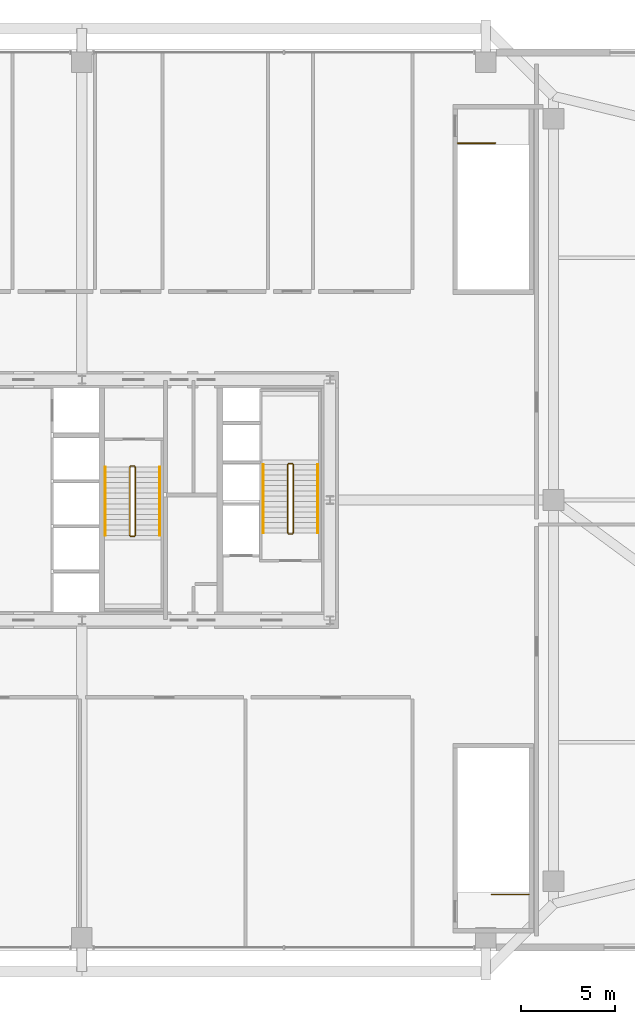
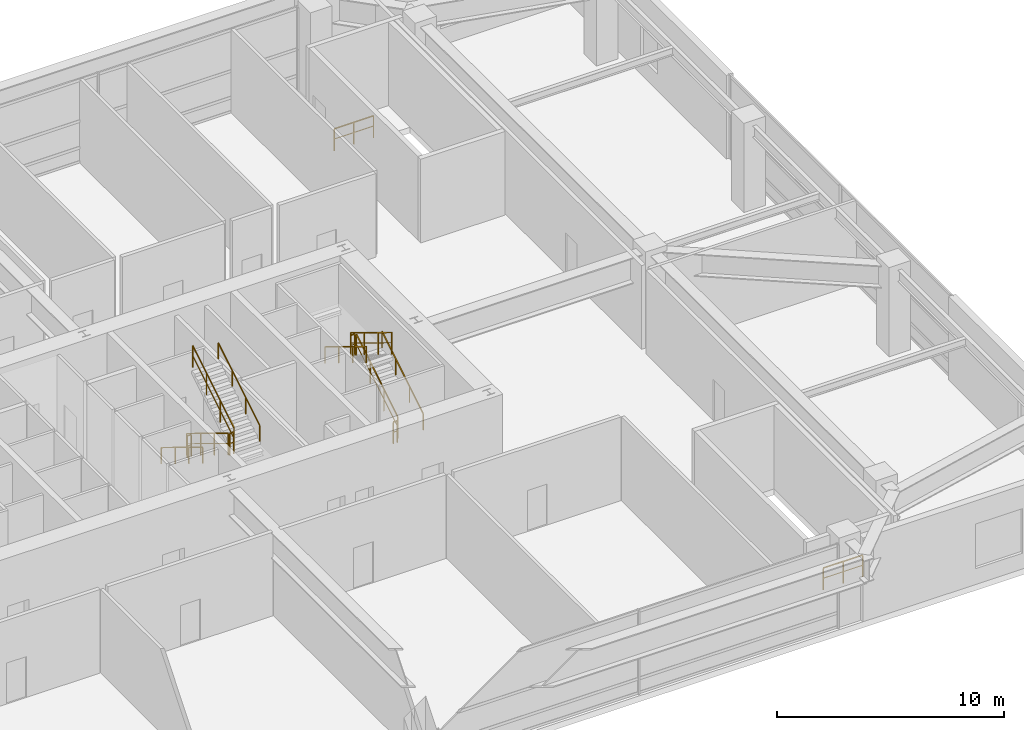
# One storey, part 34 of 34: 14 railings.
"""IFC4 building model written with IfcOpenShell, lengths in metres."""

from ifc_helpers import new_model, si_unit, direction, frame, origin, origin_2d, place, context, subcontext, project, spatial, rectangle, extrude, source, transform, mapped, material, layer, layer_set, type_object, element, save


model = new_model("IFC4")

# Units and contexts
model_context = context("Model", 3, precision=1e-05, world=origin(), true_north=direction((0.0, 1.0)))
body_context = subcontext(model_context, "Body", "Model", "MODEL_VIEW")
ifc_project = project(units=[si_unit("LENGTHUNIT", "METRE"), si_unit("AREAUNIT", "SQUARE_METRE"), si_unit("VOLUMEUNIT", "CUBIC_METRE"), si_unit("PLANEANGLEUNIT", "RADIAN"), si_unit("MASSUNIT", "GRAM", prefix="KILO"), si_unit("THERMODYNAMICTEMPERATUREUNIT", "KELVIN"), si_unit("POWERUNIT", "WATT")], contexts=[model_context])

# Site, building, storey
site_placement = place(None, origin())
site = spatial("IfcSite", under=ifc_project, at=site_placement, CompositionType="ELEMENT")
building_placement = place(site_placement, origin())
building = spatial("IfcBuilding", under=site, at=building_placement, Name="Yuzanri Waterfront Tower", CompositionType="ELEMENT")
storey_placement = place(building_placement, frame((0.0, 0.0, 25.800048828125)))
storey = spatial("IfcBuildingStorey", under=building, at=storey_placement, Name="L06", CompositionType="ELEMENT", Elevation=25.800048828125)

# Railings
ifc_material_1 = material(Name="Painted Galvanized Fire Steel", Category="steel")
ifc_layer_1 = layer(ifc_material_1, 0.06005859375)
ifc_layer_set_1 = layer_set([ifc_layer_1], Name="Painted Galvanized Fire Steel")
railing_type_1 = type_object("IfcRailingType", Name="Painted Steel Stairwell Guardrail 1120", PredefinedType="GUARDRAIL", material=ifc_layer_set_1)
shared_shape_1 = source(origin(), body_context, "Body", "SweptSolid", [
    extrude(rectangle(XDim=0.050048828125, YDim=0.050048828125, at=origin_2d()), frame((0.0, 0.0, 1.1748046875), z_axis=(-1.0, 0.0, 0.0), x_axis=(0.0, -1.0, 0.0)), (0.0, 0.0, 1.0), 0.199951171875),
    extrude(rectangle(XDim=0.035888671875, YDim=0.030029296875, at=origin_2d()), frame((0.0, 0.0, 0.6240234375), z_axis=(-1.0, 0.0, 0.0), x_axis=(0.0, -1.0, 0.0)), (0.0, 0.0, 1.0), 0.199951171875),
    extrude(rectangle(XDim=0.0458984375, YDim=0.0458984375, at=origin_2d()), origin(), (0.0, 0.0, 1.0), 1.14990234375),
    extrude(rectangle(XDim=0.0458984375, YDim=0.0458984375, at=origin_2d()), frame((-0.199951171875, 0.0, 0.0)), (0.0, 0.0, 1.0), 1.14990234375),
])
for number, where, name in (
    (1, (48.199951171875, 27.72998046875, 2.39990234375), "L06 ST-02 stair guard 2"),
    (2, (48.199951171875, 23.989990234375, 0.0), "L06 ST-02 stair guard 4"),
):
    element("IfcRailing", number, at=place(storey_placement, frame(where)), inside=storey, type_object=railing_type_1, Name=name, PredefinedType="GUARDRAIL", context=body_context, shape_type="MappedRepresentation", body=[
        mapped(shared_shape_1, transform((0.0, 0.0, 0.0), scale=1.0)),
    ])
shared_shape_2 = source(origin(), body_context, "Body", "SweptSolid", [
    extrude(rectangle(XDim=0.050048828125, YDim=0.050048828125, at=origin_2d()), frame((0.0, 0.0, 1.1748046875), z_axis=(0.0, 0.852850264322, 0.5221555579), x_axis=(-1.0, 0.0, 0.0)), (0.0, 0.0, 1.0), 4.267822265625),
    extrude(rectangle(XDim=0.035888671875, YDim=0.030029296875, at=origin_2d()), frame((0.0, 0.0, 0.6240234375), z_axis=(0.0, 0.852850264322, 0.5221555579), x_axis=(-1.0, 0.0, 0.0)), (0.0, 0.0, 1.0), 4.267822265625),
    extrude(rectangle(XDim=0.0458984375, YDim=0.0458984375, at=origin_2d()), origin(), (0.0, 0.0, 1.0), 1.14990234375),
    extrude(rectangle(XDim=0.0458984375, YDim=0.0458984375, at=origin_2d()), frame((0.0, 1.21337890625, 0.742919921875)), (0.0, 0.0, 1.0), 1.14990234375),
    extrude(rectangle(XDim=0.0458984375, YDim=0.0458984375, at=origin_2d()), frame((0.0, 2.426513671875, 1.485595703125)), (0.0, 0.0, 1.0), 1.14990234375),
    extrude(rectangle(XDim=0.0458984375, YDim=0.0458984375, at=origin_2d()), frame((0.0, 3.639892578125, 2.228515625)), (0.0, 0.0, 1.0), 1.14990234375),
])
railing_1_placement = place(storey_placement, frame((48.25, 24.0400390625, 0.17138671875)))
element("IfcRailing", 3, at=railing_1_placement, inside=storey, type_object=railing_type_1, Name="L06 ST-02 stair guard 1", PredefinedType="GUARDRAIL", context=body_context, shape_type="MappedRepresentation", body=[
    mapped(shared_shape_2, transform((0.0, 0.0, 0.0), scale=1.0)),
])
ifc_material_2 = material(Name="Anodized Architectural Bronze", Category="metal")
ifc_layer_2 = layer(ifc_material_2, 0.050048828125)
ifc_layer_set_2 = layer_set([ifc_layer_2], Name="Anodized Architectural Bronze")
railing_type_2 = type_object("IfcRailingType", Name="Brushed Bronze Stair Pitch Handrail 920", PredefinedType="HANDRAIL", material=ifc_layer_set_2)
shared_shape_3 = source(origin(), body_context, "Body", "SweptSolid", [
    extrude(rectangle(XDim=0.050048828125, YDim=0.050048828125, at=origin_2d()), frame((0.0, 0.0, 0.875), z_axis=(0.0, 0.852850264322, 0.5221555579), x_axis=(-1.0, 0.0, 0.0)), (0.0, 0.0, 1.0), 4.267822265625),
    extrude(rectangle(XDim=0.0458984375, YDim=0.0458984375, at=origin_2d()), origin(), (0.0, 0.0, 1.0), 0.849853515625),
    extrude(rectangle(XDim=0.0458984375, YDim=0.0458984375, at=origin_2d()), frame((0.0, 1.21337890625, 0.742919921875)), (0.0, 0.0, 1.0), 0.849853515625),
    extrude(rectangle(XDim=0.0458984375, YDim=0.0458984375, at=origin_2d()), frame((0.0, 2.426513671875, 1.485595703125)), (0.0, 0.0, 1.0), 0.849853515625),
    extrude(rectangle(XDim=0.0458984375, YDim=0.0458984375, at=origin_2d()), frame((0.0, 3.639892578125, 2.228515625)), (0.0, 0.0, 1.0), 0.849853515625),
])
railing_2_placement = place(storey_placement, frame((49.550048828125, 24.0400390625, 0.17138671875)))
element("IfcRailing", 4, at=railing_2_placement, inside=storey, type_object=railing_type_2, Name="L06 ST-02 stair handrail 1", PredefinedType="HANDRAIL", context=body_context, shape_type="MappedRepresentation", body=[
    mapped(shared_shape_3, transform((0.0, 0.0, 0.0), scale=1.0)),
])
shared_shape_4 = source(origin(), body_context, "Body", "SweptSolid", [
    extrude(rectangle(XDim=0.050048828125, YDim=0.050048828125, at=origin_2d()), frame((0.0, 0.0, 1.1748046875), z_axis=(0.0, -0.852824790078, 0.522197163366), x_axis=(1.0, 0.0, 0.0)), (0.0, 0.0, 1.0), 4.26806640625),
    extrude(rectangle(XDim=0.035888671875, YDim=0.030029296875, at=origin_2d()), frame((0.0, 0.0, 0.6240234375), z_axis=(0.0, -0.852824790078, 0.522197163366), x_axis=(1.0, 0.0, 0.0)), (0.0, 0.0, 1.0), 4.26806640625),
    extrude(rectangle(XDim=0.0458984375, YDim=0.0458984375, at=origin_2d()), origin(), (0.0, 0.0, 1.0), 1.14990234375),
    extrude(rectangle(XDim=0.0458984375, YDim=0.0458984375, at=origin_2d()), frame((0.0, -1.21337890625, 0.742919921875)), (0.0, 0.0, 1.0), 1.14990234375),
    extrude(rectangle(XDim=0.0458984375, YDim=0.0458984375, at=origin_2d()), frame((0.0, -2.426513671875, 1.48583984375)), (0.0, 0.0, 1.0), 1.14990234375),
    extrude(rectangle(XDim=0.0458984375, YDim=0.0458984375, at=origin_2d()), frame((0.0, -3.639892578125, 2.228759765625)), (0.0, 0.0, 1.0), 1.14990234375),
])
railing_3_placement = place(storey_placement, frame((47.949951171875, 27.679931640625, 2.5712890625)))
element("IfcRailing", 5, at=railing_3_placement, inside=storey, type_object=railing_type_1, Name="L06 ST-02 stair guard 3", PredefinedType="GUARDRAIL", context=body_context, shape_type="MappedRepresentation", body=[
    mapped(shared_shape_4, transform((0.0, 0.0, 0.0), scale=1.0)),
])
shared_shape_5 = source(origin(), body_context, "Body", "SweptSolid", [
    extrude(rectangle(XDim=0.050048828125, YDim=0.050048828125, at=origin_2d()), frame((0.0, 0.0, 0.875), z_axis=(0.0, -0.852824790078, 0.522197163366), x_axis=(1.0, 0.0, 0.0)), (0.0, 0.0, 1.0), 4.26806640625),
    extrude(rectangle(XDim=0.0458984375, YDim=0.0458984375, at=origin_2d()), origin(), (0.0, 0.0, 1.0), 0.849853515625),
    extrude(rectangle(XDim=0.0458984375, YDim=0.0458984375, at=origin_2d()), frame((0.0, -1.21337890625, 0.742919921875)), (0.0, 0.0, 1.0), 0.849853515625),
    extrude(rectangle(XDim=0.0458984375, YDim=0.0458984375, at=origin_2d()), frame((0.0, -2.426513671875, 1.48583984375)), (0.0, 0.0, 1.0), 0.849853515625),
    extrude(rectangle(XDim=0.0458984375, YDim=0.0458984375, at=origin_2d()), frame((0.0, -3.639892578125, 2.228759765625)), (0.0, 0.0, 1.0), 0.849853515625),
])
railing_4_placement = place(storey_placement, frame((46.64990234375, 27.679931640625, 2.5712890625)))
element("IfcRailing", 6, at=railing_4_placement, inside=storey, type_object=railing_type_2, Name="L06 ST-02 stair handrail 2", PredefinedType="HANDRAIL", context=body_context, shape_type="MappedRepresentation", body=[
    mapped(shared_shape_5, transform((0.0, 0.0, 0.0), scale=1.0)),
])
shared_shape_6 = source(origin(), body_context, "Body", "SweptSolid", [
    extrude(rectangle(XDim=0.050048828125, YDim=0.050048828125, at=origin_2d()), frame((0.0, 0.0, 1.1748046875), z_axis=(1.0, 0.0, 0.0), x_axis=(0.0, 1.0, 0.0)), (0.0, 0.0, 1.0), 0.199951171875),
    extrude(rectangle(XDim=0.035888671875, YDim=0.030029296875, at=origin_2d()), frame((0.0, 0.0, 0.6240234375), z_axis=(1.0, 0.0, 0.0), x_axis=(0.0, 1.0, 0.0)), (0.0, 0.0, 1.0), 0.199951171875),
    extrude(rectangle(XDim=0.0458984375, YDim=0.0458984375, at=origin_2d()), origin(), (0.0, 0.0, 1.0), 1.14990234375),
    extrude(rectangle(XDim=0.0458984375, YDim=0.0458984375, at=origin_2d()), frame((0.199951171875, 0.0, 0.0)), (0.0, 0.0, 1.0), 1.14990234375),
])
for number, where, name in (
    (7, (39.60009765625, 23.8701171875, 2.39990234375), "L06 ST-03 stair guard 2"),
    (8, (39.60009765625, 27.610107421875, 0.0), "L06 ST-03 stair guard 4"),
):
    element("IfcRailing", number, at=place(storey_placement, frame(where)), inside=storey, type_object=railing_type_1, Name=name, PredefinedType="GUARDRAIL", context=body_context, shape_type="MappedRepresentation", body=[
        mapped(shared_shape_6, transform((0.0, 0.0, 0.0), scale=1.0)),
    ])
shared_shape_7 = source(origin(), body_context, "Body", "SweptSolid", [
    extrude(rectangle(XDim=0.050048828125, YDim=0.050048828125, at=origin_2d()), frame((0.0, 0.0, 1.1748046875), z_axis=(0.0, -0.852865859571, 0.52213008492), x_axis=(1.0, 0.0, 0.0)), (0.0, 0.0, 1.0), 4.26806640625),
    extrude(rectangle(XDim=0.035888671875, YDim=0.030029296875, at=origin_2d()), frame((0.0, 0.0, 0.6240234375), z_axis=(0.0, -0.852865859571, 0.52213008492), x_axis=(1.0, 0.0, 0.0)), (0.0, 0.0, 1.0), 4.26806640625),
    extrude(rectangle(XDim=0.0458984375, YDim=0.0458984375, at=origin_2d()), origin(), (0.0, 0.0, 1.0), 1.14990234375),
    extrude(rectangle(XDim=0.0458984375, YDim=0.0458984375, at=origin_2d()), frame((0.0, -1.21337890625, 0.742919921875)), (0.0, 0.0, 1.0), 1.14990234375),
    extrude(rectangle(XDim=0.0458984375, YDim=0.0458984375, at=origin_2d()), frame((0.0, -2.4267578125, 1.485595703125)), (0.0, 0.0, 1.0), 1.14990234375),
    extrude(rectangle(XDim=0.0458984375, YDim=0.0458984375, at=origin_2d()), frame((0.0, -3.64013671875, 2.228515625)), (0.0, 0.0, 1.0), 1.14990234375),
])
railing_5_placement = place(storey_placement, frame((39.550048828125, 27.56005859375, 0.17138671875)))
element("IfcRailing", 9, at=railing_5_placement, inside=storey, type_object=railing_type_1, Name="L06 ST-03 stair guard 1", PredefinedType="GUARDRAIL", context=body_context, shape_type="MappedRepresentation", body=[
    mapped(shared_shape_7, transform((0.0, 0.0, 0.0), scale=1.0)),
])
shared_shape_8 = source(origin(), body_context, "Body", "SweptSolid", [
    extrude(rectangle(XDim=0.050048828125, YDim=0.050048828125, at=origin_2d()), frame((0.0, 0.0, 0.875), z_axis=(0.0, -0.852865859571, 0.52213008492), x_axis=(1.0, 0.0, 0.0)), (0.0, 0.0, 1.0), 4.26806640625),
    extrude(rectangle(XDim=0.0458984375, YDim=0.0458984375, at=origin_2d()), origin(), (0.0, 0.0, 1.0), 0.849853515625),
    extrude(rectangle(XDim=0.0458984375, YDim=0.0458984375, at=origin_2d()), frame((0.0, -1.21337890625, 0.742919921875)), (0.0, 0.0, 1.0), 0.849853515625),
    extrude(rectangle(XDim=0.0458984375, YDim=0.0458984375, at=origin_2d()), frame((0.0, -2.4267578125, 1.485595703125)), (0.0, 0.0, 1.0), 0.849853515625),
    extrude(rectangle(XDim=0.0458984375, YDim=0.0458984375, at=origin_2d()), frame((0.0, -3.64013671875, 2.228515625)), (0.0, 0.0, 1.0), 0.849853515625),
])
railing_6_placement = place(storey_placement, frame((38.25, 27.56005859375, 0.17138671875)))
element("IfcRailing", 10, at=railing_6_placement, inside=storey, type_object=railing_type_2, Name="L06 ST-03 stair handrail 1", PredefinedType="HANDRAIL", context=body_context, shape_type="MappedRepresentation", body=[
    mapped(shared_shape_8, transform((0.0, 0.0, 0.0), scale=1.0)),
])
shared_shape_9 = source(origin(), body_context, "Body", "SweptSolid", [
    extrude(rectangle(XDim=0.050048828125, YDim=0.050048828125, at=origin_2d()), frame((0.0, 0.0, 1.1748046875), z_axis=(0.0, 0.852840387347, 0.522171689878), x_axis=(-1.0, 0.0, 0.0)), (0.0, 0.0, 1.0), 4.268310546875),
    extrude(rectangle(XDim=0.035888671875, YDim=0.030029296875, at=origin_2d()), frame((0.0, 0.0, 0.6240234375), z_axis=(0.0, 0.852840387347, 0.522171689878), x_axis=(-1.0, 0.0, 0.0)), (0.0, 0.0, 1.0), 4.268310546875),
    extrude(rectangle(XDim=0.0458984375, YDim=0.0458984375, at=origin_2d()), origin(), (0.0, 0.0, 1.0), 1.14990234375),
    extrude(rectangle(XDim=0.0458984375, YDim=0.0458984375, at=origin_2d()), frame((0.0, 1.21337890625, 0.742919921875)), (0.0, 0.0, 1.0), 1.14990234375),
    extrude(rectangle(XDim=0.0458984375, YDim=0.0458984375, at=origin_2d()), frame((0.0, 2.4267578125, 1.48583984375)), (0.0, 0.0, 1.0), 1.14990234375),
    extrude(rectangle(XDim=0.0458984375, YDim=0.0458984375, at=origin_2d()), frame((0.0, 3.64013671875, 2.228759765625)), (0.0, 0.0, 1.0), 1.14990234375),
])
railing_7_placement = place(storey_placement, frame((39.85009765625, 23.919921875, 2.5712890625)))
element("IfcRailing", 11, at=railing_7_placement, inside=storey, type_object=railing_type_1, Name="L06 ST-03 stair guard 3", PredefinedType="GUARDRAIL", context=body_context, shape_type="MappedRepresentation", body=[
    mapped(shared_shape_9, transform((0.0, 0.0, 0.0), scale=1.0)),
])
shared_shape_10 = source(origin(), body_context, "Body", "SweptSolid", [
    extrude(rectangle(XDim=0.050048828125, YDim=0.050048828125, at=origin_2d()), frame((0.0, 0.0, 0.875), z_axis=(0.0, 0.852840387347, 0.522171689878), x_axis=(-1.0, 0.0, 0.0)), (0.0, 0.0, 1.0), 4.268310546875),
    extrude(rectangle(XDim=0.0458984375, YDim=0.0458984375, at=origin_2d()), origin(), (0.0, 0.0, 1.0), 0.849853515625),
    extrude(rectangle(XDim=0.0458984375, YDim=0.0458984375, at=origin_2d()), frame((0.0, 1.21337890625, 0.742919921875)), (0.0, 0.0, 1.0), 0.849853515625),
    extrude(rectangle(XDim=0.0458984375, YDim=0.0458984375, at=origin_2d()), frame((0.0, 2.4267578125, 1.48583984375)), (0.0, 0.0, 1.0), 0.849853515625),
    extrude(rectangle(XDim=0.0458984375, YDim=0.0458984375, at=origin_2d()), frame((0.0, 3.64013671875, 2.228759765625)), (0.0, 0.0, 1.0), 0.849853515625),
])
railing_8_placement = place(storey_placement, frame((41.14990234375, 23.919921875, 2.5712890625)))
element("IfcRailing", 12, at=railing_8_placement, inside=storey, type_object=railing_type_2, Name="L06 ST-03 stair handrail 2", PredefinedType="HANDRAIL", context=body_context, shape_type="MappedRepresentation", body=[
    mapped(shared_shape_10, transform((0.0, 0.0, 0.0), scale=1.0)),
])
shared_shape_11 = source(origin(), body_context, "Body", "SweptSolid", [
    extrude(rectangle(XDim=0.050048828125, YDim=0.050048828125, at=origin_2d()), frame((0.0, 0.0, 1.1748046875), z_axis=(-1.0, 0.0, 0.0), x_axis=(0.0, -1.0, 0.0)), (0.0, 0.0, 1.0), 2.0),
    extrude(rectangle(XDim=0.035888671875, YDim=0.030029296875, at=origin_2d()), frame((0.0, 0.0, 0.6240234375), z_axis=(-1.0, 0.0, 0.0), x_axis=(0.0, -1.0, 0.0)), (0.0, 0.0, 1.0), 2.0),
    extrude(rectangle(XDim=0.0458984375, YDim=0.0458984375, at=origin_2d()), origin(), (0.0, 0.0, 1.0), 1.14990234375),
    extrude(rectangle(XDim=0.0458984375, YDim=0.0458984375, at=origin_2d()), frame((-1.0, 0.0, 0.0)), (0.0, 0.0, 1.0), 1.14990234375),
    extrude(rectangle(XDim=0.0458984375, YDim=0.0458984375, at=origin_2d()), frame((-2.0, 0.0, 0.0)), (0.0, 0.0, 1.0), 1.14990234375),
])
railing_9_placement = place(storey_placement, frame((60.800048828125, 4.800048828125, 0.0)))
element("IfcRailing", 13, at=railing_9_placement, inside=storey, type_object=railing_type_1, Name="L06 PST-02 top well guard 1", PredefinedType="GUARDRAIL", context=body_context, shape_type="MappedRepresentation", body=[
    mapped(shared_shape_11, transform((0.0, 0.0, 0.0), scale=1.0)),
])
shared_shape_12 = source(origin(), body_context, "Body", "SweptSolid", [
    extrude(rectangle(XDim=0.050048828125, YDim=0.050048828125, at=origin_2d()), frame((0.0, 0.0, 1.1748046875), z_axis=(1.0, 0.0, 0.0), x_axis=(0.0, 1.0, 0.0)), (0.0, 0.0, 1.0), 2.0),
    extrude(rectangle(XDim=0.035888671875, YDim=0.030029296875, at=origin_2d()), frame((0.0, 0.0, 0.6240234375), z_axis=(1.0, 0.0, 0.0), x_axis=(0.0, 1.0, 0.0)), (0.0, 0.0, 1.0), 2.0),
    extrude(rectangle(XDim=0.0458984375, YDim=0.0458984375, at=origin_2d()), origin(), (0.0, 0.0, 1.0), 1.14990234375),
    extrude(rectangle(XDim=0.0458984375, YDim=0.0458984375, at=origin_2d()), frame((1.0, 0.0, 0.0)), (0.0, 0.0, 1.0), 1.14990234375),
    extrude(rectangle(XDim=0.0458984375, YDim=0.0458984375, at=origin_2d()), frame((2.0, 0.0, 0.0)), (0.0, 0.0, 1.0), 1.14990234375),
])
railing_10_placement = place(storey_placement, frame((57.0, 44.800048828125, 0.0)))
element("IfcRailing", 14, at=railing_10_placement, inside=storey, type_object=railing_type_1, Name="L06 PST-03 top well guard 1", PredefinedType="GUARDRAIL", context=body_context, shape_type="MappedRepresentation", body=[
    mapped(shared_shape_12, transform((0.0, 0.0, 0.0), scale=1.0)),
])

save(model, "model.ifc")
